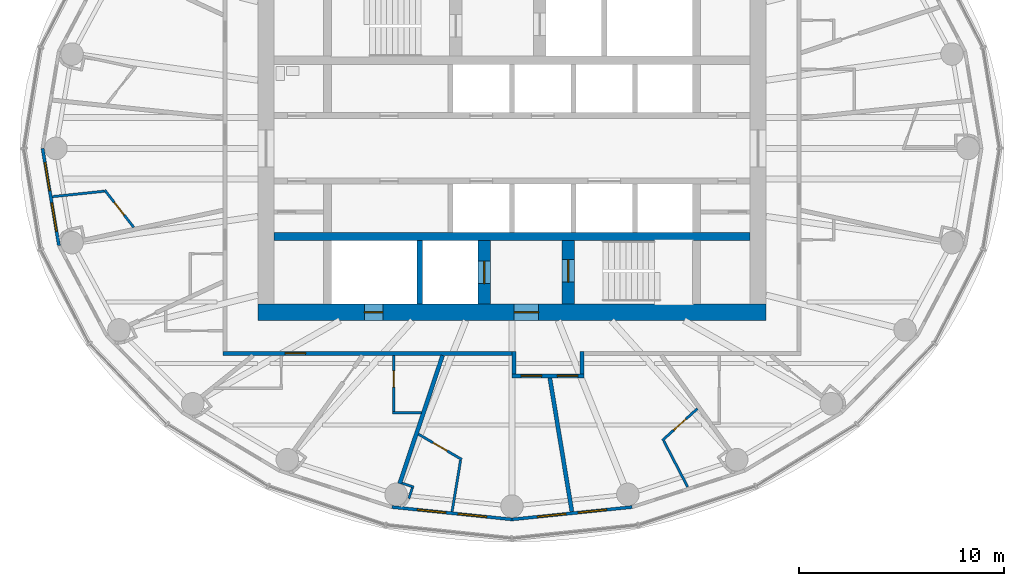
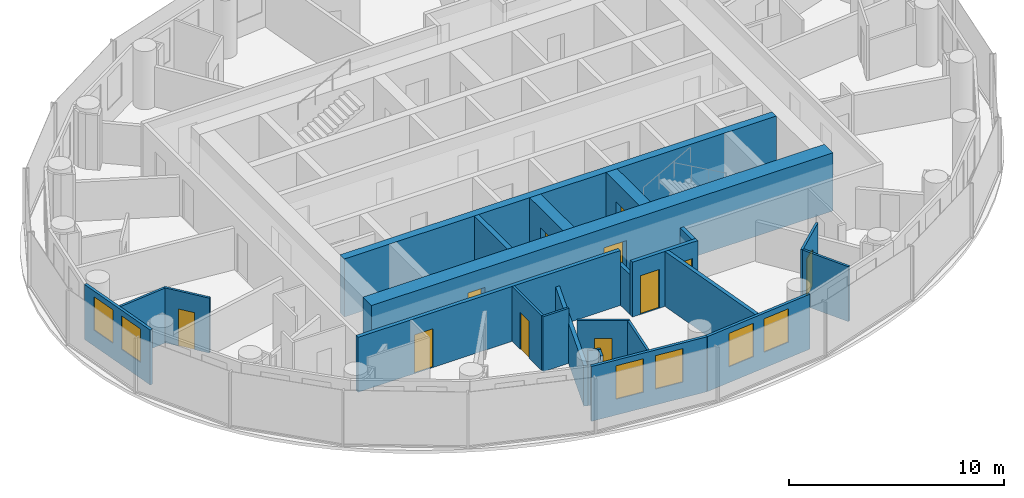
# One storey, part 7 of 14: 24 walls, 11 doors, 6 windows, 17 openings.
"""IFC4 building model written with IfcOpenShell, lengths in metres."""

from ifc_helpers import new_model, si_unit, direction, frame, frame_2d, origin, place, context, subcontext, project, spatial, rectangle, extrude, material, layer, layer_set, type_object, element, fill, save


model = new_model("IFC4")

# Units and contexts
model_context = context("Model", 3, precision=1e-05, world=origin(), true_north=direction((0.0, 1.0)))
body_context = subcontext(model_context, "Body", "Model", "MODEL_VIEW")
ifc_project = project(units=[si_unit("LENGTHUNIT", "METRE"), si_unit("AREAUNIT", "SQUARE_METRE"), si_unit("VOLUMEUNIT", "CUBIC_METRE"), si_unit("PLANEANGLEUNIT", "RADIAN"), si_unit("MASSUNIT", "GRAM", prefix="KILO")], contexts=[model_context])

# Site, building, storey
site_placement = place(None, origin())
site = spatial("IfcSite", under=ifc_project, at=site_placement, CompositionType="ELEMENT")
building_placement = place(site_placement, origin())
building = spatial("IfcBuilding", under=site, at=building_placement, Name="Hankou Lantern Tower", CompositionType="ELEMENT")
storey_placement = place(building_placement, frame((0.0, 0.0, 179.699951171875)))
storey = spatial("IfcBuildingStorey", under=building, at=storey_placement, Name="L48", CompositionType="ELEMENT", Elevation=179.699951171875)

# Wall, openings, doors
ifc_material_1 = material(Name="Concrete C60", Category="concrete")
ifc_layer_1 = layer(ifc_material_1, 0.800048828125)
ifc_layer_set_1 = layer_set([ifc_layer_1], Name="Concrete C60")
wall_type_1 = type_object("IfcWallType", Name="CW2 CORE WALL 800", PredefinedType="SHEAR", material=ifc_layer_set_1)
wall_1_placement = place(storey_placement, frame((12.39990234375, -8.0, 0.0), z_axis=(0.0, 0.0, 1.0), x_axis=(-1.0, 0.0, 0.0)))
wall_1 = element("IfcWall", 1, at=wall_1_placement, inside=storey, type_object=wall_type_1, Name="Core wall south L48", PredefinedType="SHEAR", context=body_context, shape_type="SweptSolid", body=[
    extrude(rectangle(XDim=24.7998046875, YDim=0.800048828125, at=frame_2d((12.39990234375, 0.0))), origin(), (0.0, 0.0, 1.0), 3.300048828125),
])
opening_1_placement = place(wall_1_placement, frame((11.10009765625, 0.0, 0.0)))
opening_1 = element("IfcOpeningElement", 2, at=opening_1_placement, cuts=wall_1, Name="Opening D5", PredefinedType="OPENING", context=body_context, shape_type="SweptSolid", body=[
    extrude(rectangle(XDim=1.199951171875, YDim=2.199951171875, at=frame_2d((0.60009765625, 1.10009765625))), frame((0.0, 0.409912109375, 0.0), z_axis=(0.0, -1.0, 0.0), x_axis=(1.0, 0.0, 0.0)), (0.0, 0.0, 1.0), 0.820068359375),
])
opening_2_placement = place(wall_1_placement, frame((18.699951171875, 0.0, 0.0)))
opening_2 = element("IfcOpeningElement", 3, at=opening_2_placement, cuts=wall_1, Name="Opening D7", PredefinedType="OPENING", context=body_context, shape_type="SweptSolid", body=[
    extrude(rectangle(XDim=0.89990234375, YDim=2.199951171875, at=frame_2d((0.449951171875, 1.10009765625))), frame((0.0, 0.409912109375, 0.0), z_axis=(0.0, -1.0, 0.0), x_axis=(1.0, 0.0, 0.0)), (0.0, 0.0, 1.0), 0.820068359375),
])
ifc_material_2 = material(Name="Steel door leaf", Category="steel")
door_type_1 = type_object("IfcDoorType", Name="D5 STAIR LOBBY DOOR 1200X2200", OperationType="SINGLE_SWING_LEFT", PredefinedType="DOOR", material=ifc_material_2)
door_1_placement = place(opening_1_placement, origin())
door_1 = element("IfcDoor", 4, at=door_1_placement, inside=storey, type_object=door_type_1, Name="Stair B lobby door", OperationType="SINGLE_SWING_LEFT", OverallHeight=2.199951171875, OverallWidth=1.199951171875, PredefinedType="DOOR", context=body_context, shape_type="SweptSolid", body=[
    extrude(rectangle(XDim=1.199951171875, YDim=2.199951171875, at=frame_2d((0.60009765625, 1.10009765625))), frame((0.0, 0.02490234375, 0.0), z_axis=(0.0, -1.0, 0.0), x_axis=(1.0, 0.0, 0.0)), (0.0, 0.0, 1.0), 0.050048828125),
])
fill(opening_1, door_1)
ifc_material_3 = material(Name="Steel door leaf", Category="steel")
door_type_2 = type_object("IfcDoorType", Name="D7 RISER DOOR 900X2200", OperationType="SINGLE_SWING_LEFT", PredefinedType="DOOR", material=ifc_material_3)
door_2_placement = place(opening_2_placement, origin())
door_2 = element("IfcDoor", 5, at=door_2_placement, inside=storey, type_object=door_type_2, Name="Riser S1 door", OperationType="SINGLE_SWING_RIGHT", OverallHeight=2.199951171875, OverallWidth=0.89990234375, PredefinedType="DOOR", context=body_context, shape_type="SweptSolid", body=[
    extrude(rectangle(XDim=0.89990234375, YDim=2.199951171875, at=frame_2d((0.449951171875, 1.10009765625))), frame((0.0, 0.02490234375, 0.0), z_axis=(0.0, -1.0, 0.0), x_axis=(1.0, 0.0, 0.0)), (0.0, 0.0, 1.0), 0.050048828125),
])
fill(opening_2, door_2)

# Wall
ifc_material_4 = material(Name="Concrete C60", Category="concrete")
ifc_layer_2 = layer(ifc_material_4, 0.39990234375)
ifc_layer_set_2 = layer_set([ifc_layer_2], Name="Concrete C60")
wall_type_2 = type_object("IfcWallType", Name="CW4 CORE CROSS WALL 400", PredefinedType="SHEAR", material=ifc_layer_set_2)
wall_2_placement = place(storey_placement, frame((-11.60009765625, -4.300048828125, 0.0), z_axis=(0.0, 0.0, 1.0), x_axis=(1.0, 0.0, 0.0)))
element("IfcWall", 6, at=wall_2_placement, inside=storey, type_object=wall_type_2, Name="Core band wall south L48", PredefinedType="SHEAR", context=body_context, shape_type="SweptSolid", body=[
    extrude(rectangle(XDim=23.2001953125, YDim=0.39990234375, at=frame_2d((11.60009765625, 0.0))), origin(), (0.0, 0.0, 1.0), 3.300048828125),
])

# Wall, opening, door
ifc_material_5 = material(Name="Concrete C60", Category="concrete")
ifc_layer_3 = layer(ifc_material_5, 0.60009765625)
ifc_layer_set_3 = layer_set([ifc_layer_3], Name="Concrete C60")
wall_type_3 = type_object("IfcWallType", Name="CW6 STAIR AND SHAFT WALL 600", PredefinedType="SHEAR", material=ifc_layer_set_3)
wall_3_placement = place(storey_placement, frame((2.75, -7.60009765625, 0.0), z_axis=(0.0, 0.0, 1.0), x_axis=(0.0, 1.0, 0.0)))
wall_3 = element("IfcWall", 7, at=wall_3_placement, inside=storey, type_object=wall_type_3, Name="Stair wall L48", PredefinedType="SHEAR", context=body_context, shape_type="SweptSolid", body=[
    extrude(rectangle(XDim=3.10009765625, YDim=0.60009765625, at=frame_2d((1.550048828125, 0.0))), origin(), (0.0, 0.0, 1.0), 3.300048828125),
])
opening_3_placement = place(wall_3_placement, frame((1.074951171875, 0.0, 0.0)))
opening_3 = element("IfcOpeningElement", 8, at=opening_3_placement, cuts=wall_3, Name="Opening D4", PredefinedType="OPENING", context=body_context, shape_type="SweptSolid", body=[
    extrude(rectangle(XDim=1.10009765625, YDim=2.199951171875, at=frame_2d((0.550048828125, 1.10009765625))), frame((0.0, 0.31005859375, 0.0), z_axis=(0.0, -1.0, 0.0), x_axis=(1.0, 0.0, 0.0)), (0.0, 0.0, 1.0), 0.6201171875),
])
ifc_material_6 = material(Name="Steel door leaf", Category="steel")
door_type_3 = type_object("IfcDoorType", Name="D4 STAIR DOOR 1100X2200", OperationType="SINGLE_SWING_LEFT", PredefinedType="DOOR", material=ifc_material_6)
door_3_placement = place(opening_3_placement, origin())
door_3 = element("IfcDoor", 9, at=door_3_placement, inside=storey, type_object=door_type_3, Name="Stair B door", OperationType="SINGLE_SWING_RIGHT", OverallHeight=2.199951171875, OverallWidth=1.10009765625, PredefinedType="DOOR", context=body_context, shape_type="SweptSolid", body=[
    extrude(rectangle(XDim=1.10009765625, YDim=2.199951171875, at=frame_2d((0.550048828125, 1.10009765625))), frame((0.0, 0.02490234375, 0.0), z_axis=(0.0, -1.0, 0.0), x_axis=(1.0, 0.0, 0.0)), (0.0, 0.0, 1.0), 0.050048828125),
])
fill(opening_3, door_3)

wall_4_placement = place(storey_placement, frame((-1.35009765625, -7.60009765625, 0.0), z_axis=(0.0, 0.0, 1.0), x_axis=(0.0, 1.0, 0.0)))
wall_4 = element("IfcWall", 10, at=wall_4_placement, inside=storey, type_object=wall_type_3, Name="Firefighting lift shaft wall L48", PredefinedType="SHEAR", context=body_context, shape_type="SweptSolid", body=[
    extrude(rectangle(XDim=3.10009765625, YDim=0.60009765625, at=frame_2d((1.550048828125, 0.0))), origin(), (0.0, 0.0, 1.0), 3.300048828125),
])
opening_4_placement = place(wall_4_placement, frame((1.0, 0.0, 0.0)))
opening_4 = element("IfcOpeningElement", 11, at=opening_4_placement, cuts=wall_4, Name="Opening LD2", PredefinedType="OPENING", context=body_context, shape_type="SweptSolid", body=[
    extrude(rectangle(XDim=1.10009765625, YDim=2.199951171875, at=frame_2d((0.550048828125, 1.10009765625))), frame((0.0, 0.31005859375, 0.0), z_axis=(0.0, -1.0, 0.0), x_axis=(1.0, 0.0, 0.0)), (0.0, 0.0, 1.0), 0.6201171875),
])
ifc_material_7 = material(Name="Steel door leaf", Category="steel")
door_type_4 = type_object("IfcDoorType", Name="LD2 FIREFIGHTING LIFT LANDING DOOR 1100X2200", OperationType="DOUBLE_DOOR_SLIDING", PredefinedType="DOOR", material=ifc_material_7)
door_4_placement = place(opening_4_placement, origin())
door_4 = element("IfcDoor", 12, at=door_4_placement, inside=storey, type_object=door_type_4, Name="Firefighting lift FL2 landing door", OperationType="DOUBLE_DOOR_SLIDING", OverallHeight=2.199951171875, OverallWidth=1.10009765625, PredefinedType="DOOR", context=body_context, shape_type="SweptSolid", body=[
    extrude(rectangle(XDim=1.10009765625, YDim=2.199951171875, at=frame_2d((0.550048828125, 1.10009765625))), frame((0.0, 0.02490234375, 0.0), z_axis=(0.0, -1.0, 0.0), x_axis=(1.0, 0.0, 0.0)), (0.0, 0.0, 1.0), 0.050048828125),
])
fill(opening_4, door_4)

# Wall, openings, windows
ifc_material_8 = material(Name="Aluminium spandrel panel on steel studs", Category="steel")
ifc_layer_4 = layer(ifc_material_8, 0.14990234375)
ifc_layer_set_4 = layer_set([ifc_layer_4], Name="Aluminium spandrel panel on steel studs")
wall_type_4 = type_object("IfcWallType", Name="EW1 INNER SKIN WALL 150", PredefinedType="ELEMENTEDWALL", material=ifc_layer_set_4)
wall_5_placement = place(storey_placement, frame((-22.89990234375, 0.0, 0.0), z_axis=(0.0, 0.0, 1.0), x_axis=(0.166162111254, -0.986098449843, 0.0)))
wall_5 = element("IfcWall", 13, at=wall_5_placement, inside=storey, type_object=wall_type_4, Name="Inner skin R13-R14 L48", PredefinedType="ELEMENTEDWALL", context=body_context, shape_type="SweptSolid", body=[
    extrude(rectangle(XDim=4.8046875, YDim=0.14990234375, at=frame_2d((2.40234375, 0.0))), origin(), (0.0, 0.0, 1.0), 3.1201171875),
])
opening_5_placement = place(wall_5_placement, frame((0.7021484375, 0.0, 0.89990234375)))
opening_5 = element("IfcOpeningElement", 14, at=opening_5_placement, cuts=wall_5, Name="Opening W3", PredefinedType="OPENING", context=body_context, shape_type="SweptSolid", body=[
    extrude(rectangle(XDim=1.39990234375, YDim=1.89990234375, at=frame_2d((0.699951171875, 0.949951171875))), frame((0.0, 0.0849609375, 0.0), z_axis=(0.0, -1.0, 0.0), x_axis=(1.0, 0.0, 0.0)), (0.0, 0.0, 1.0), 0.169921875),
])
opening_6_placement = place(wall_5_placement, frame((2.7021484375, 0.0, 0.89990234375)))
opening_6 = element("IfcOpeningElement", 15, at=opening_6_placement, cuts=wall_5, Name="Opening W3", PredefinedType="OPENING", context=body_context, shape_type="SweptSolid", body=[
    extrude(rectangle(XDim=1.39990234375, YDim=1.89990234375, at=frame_2d((0.699951171875, 0.949951171875))), frame((0.0, 0.0849609375, 0.0), z_axis=(0.0, -1.0, 0.0), x_axis=(1.0, 0.0, 0.0)), (0.0, 0.0, 1.0), 0.169921875),
])
ifc_material_9 = material(Name="Aluminium framed double glazed window", Category="aluminium")
window_type = type_object("IfcWindowType", Name="W3 GUEST ROOM WINDOW 1400X1900", PartitioningType="DOUBLE_PANEL_VERTICAL", PredefinedType="WINDOW", material=ifc_material_9)
window_1_placement = place(opening_5_placement, origin())
window_1 = element("IfcWindow", 16, at=window_1_placement, inside=storey, type_object=window_type, Name="Window R13.1 L48", OverallHeight=1.89990234375, OverallWidth=1.39990234375, PartitioningType="SINGLE_PANEL", PredefinedType="WINDOW", context=body_context, shape_type="SweptSolid", body=[
    extrude(rectangle(XDim=1.39990234375, YDim=1.89990234375, at=frame_2d((0.699951171875, 0.949951171875))), frame((0.0, 0.030029296875, 0.0), z_axis=(0.0, -1.0, 0.0), x_axis=(1.0, 0.0, 0.0)), (0.0, 0.0, 1.0), 0.06005859375),
])
fill(opening_5, window_1)
window_2_placement = place(opening_6_placement, origin())
window_2 = element("IfcWindow", 17, at=window_2_placement, inside=storey, type_object=window_type, Name="Window R13.2 L48", OverallHeight=1.89990234375, OverallWidth=1.39990234375, PartitioningType="SINGLE_PANEL", PredefinedType="WINDOW", context=body_context, shape_type="SweptSolid", body=[
    extrude(rectangle(XDim=1.39990234375, YDim=1.89990234375, at=frame_2d((0.699951171875, 0.949951171875))), frame((0.0, 0.030029296875, 0.0), z_axis=(0.0, -1.0, 0.0), x_axis=(1.0, 0.0, 0.0)), (0.0, 0.0, 1.0), 0.06005859375),
])
fill(opening_6, window_2)

wall_6_placement = place(storey_placement, frame((-5.8603515625, -17.497314453125, 0.0), z_axis=(0.0, 0.0, 1.0), x_axis=(0.994751738032, -0.102318032045, 0.0)))
wall_6 = element("IfcWall", 18, at=wall_6_placement, inside=storey, type_object=wall_type_4, Name="Inner skin R18-R19 L48", PredefinedType="ELEMENTEDWALL", context=body_context, shape_type="SweptSolid", body=[
    extrude(rectangle(XDim=5.891357421875, YDim=0.14990234375, at=frame_2d((2.94580078125, 0.0))), origin(), (0.0, 0.0, 1.0), 3.1201171875),
])
opening_7_placement = place(wall_6_placement, frame((1.24560546875, 0.0, 0.89990234375)))
opening_7 = element("IfcOpeningElement", 19, at=opening_7_placement, cuts=wall_6, Name="Opening W3", PredefinedType="OPENING", context=body_context, shape_type="SweptSolid", body=[
    extrude(rectangle(XDim=1.39990234375, YDim=1.89990234375, at=frame_2d((0.699951171875, 0.949951171875))), frame((0.0, 0.0849609375, 0.0), z_axis=(0.0, -1.0, 0.0), x_axis=(1.0, 0.0, 0.0)), (0.0, 0.0, 1.0), 0.169921875),
])
opening_8_placement = place(wall_6_placement, frame((3.24560546875, 0.0, 0.89990234375)))
opening_8 = element("IfcOpeningElement", 20, at=opening_8_placement, cuts=wall_6, Name="Opening W3", PredefinedType="OPENING", context=body_context, shape_type="SweptSolid", body=[
    extrude(rectangle(XDim=1.39990234375, YDim=1.89990234375, at=frame_2d((0.699951171875, 0.949951171875))), frame((0.0, 0.0849609375, 0.0), z_axis=(0.0, -1.0, 0.0), x_axis=(1.0, 0.0, 0.0)), (0.0, 0.0, 1.0), 0.169921875),
])
window_3_placement = place(opening_7_placement, origin())
window_3 = element("IfcWindow", 21, at=window_3_placement, inside=storey, type_object=window_type, Name="Window R18.1 L48", OverallHeight=1.89990234375, OverallWidth=1.39990234375, PartitioningType="SINGLE_PANEL", PredefinedType="WINDOW", context=body_context, shape_type="SweptSolid", body=[
    extrude(rectangle(XDim=1.39990234375, YDim=1.89990234375, at=frame_2d((0.699951171875, 0.949951171875))), frame((0.0, 0.030029296875, 0.0), z_axis=(0.0, -1.0, 0.0), x_axis=(1.0, 0.0, 0.0)), (0.0, 0.0, 1.0), 0.06005859375),
])
fill(opening_7, window_3)
window_4_placement = place(opening_8_placement, origin())
window_4 = element("IfcWindow", 22, at=window_4_placement, inside=storey, type_object=window_type, Name="Window R18.2 L48", OverallHeight=1.89990234375, OverallWidth=1.39990234375, PartitioningType="SINGLE_PANEL", PredefinedType="WINDOW", context=body_context, shape_type="SweptSolid", body=[
    extrude(rectangle(XDim=1.39990234375, YDim=1.89990234375, at=frame_2d((0.699951171875, 0.949951171875))), frame((0.0, 0.030029296875, 0.0), z_axis=(0.0, -1.0, 0.0), x_axis=(1.0, 0.0, 0.0)), (0.0, 0.0, 1.0), 0.06005859375),
])
fill(opening_8, window_4)

wall_7_placement = place(storey_placement, frame((0.0, -18.10009765625, 0.0), z_axis=(0.0, 0.0, 1.0), x_axis=(0.994751738032, 0.102318032045, 0.0)))
wall_7 = element("IfcWall", 23, at=wall_7_placement, inside=storey, type_object=wall_type_4, Name="Inner skin R19-R20 L48", PredefinedType="ELEMENTEDWALL", context=body_context, shape_type="SweptSolid", body=[
    extrude(rectangle(XDim=5.891357421875, YDim=0.14990234375, at=frame_2d((2.94580078125, 0.0))), origin(), (0.0, 0.0, 1.0), 3.1201171875),
])
opening_9_placement = place(wall_7_placement, frame((1.24560546875, 0.0, 0.89990234375)))
opening_9 = element("IfcOpeningElement", 24, at=opening_9_placement, cuts=wall_7, Name="Opening W3", PredefinedType="OPENING", context=body_context, shape_type="SweptSolid", body=[
    extrude(rectangle(XDim=1.39990234375, YDim=1.89990234375, at=frame_2d((0.699951171875, 0.949951171875))), frame((0.0, 0.0849609375, 0.0), z_axis=(0.0, -1.0, 0.0), x_axis=(1.0, 0.0, 0.0)), (0.0, 0.0, 1.0), 0.169921875),
])
opening_10_placement = place(wall_7_placement, frame((3.24560546875, 0.0, 0.89990234375)))
opening_10 = element("IfcOpeningElement", 25, at=opening_10_placement, cuts=wall_7, Name="Opening W3", PredefinedType="OPENING", context=body_context, shape_type="SweptSolid", body=[
    extrude(rectangle(XDim=1.39990234375, YDim=1.89990234375, at=frame_2d((0.699951171875, 0.949951171875))), frame((0.0, 0.0849609375, 0.0), z_axis=(0.0, -1.0, 0.0), x_axis=(1.0, 0.0, 0.0)), (0.0, 0.0, 1.0), 0.169921875),
])
window_5_placement = place(opening_9_placement, origin())
window_5 = element("IfcWindow", 26, at=window_5_placement, inside=storey, type_object=window_type, Name="Window R19.1 L48", OverallHeight=1.89990234375, OverallWidth=1.39990234375, PartitioningType="SINGLE_PANEL", PredefinedType="WINDOW", context=body_context, shape_type="SweptSolid", body=[
    extrude(rectangle(XDim=1.39990234375, YDim=1.89990234375, at=frame_2d((0.699951171875, 0.949951171875))), frame((0.0, 0.030029296875, 0.0), z_axis=(0.0, -1.0, 0.0), x_axis=(1.0, 0.0, 0.0)), (0.0, 0.0, 1.0), 0.06005859375),
])
fill(opening_9, window_5)
window_6_placement = place(opening_10_placement, origin())
window_6 = element("IfcWindow", 27, at=window_6_placement, inside=storey, type_object=window_type, Name="Window R19.2 L48", OverallHeight=1.89990234375, OverallWidth=1.39990234375, PartitioningType="SINGLE_PANEL", PredefinedType="WINDOW", context=body_context, shape_type="SweptSolid", body=[
    extrude(rectangle(XDim=1.39990234375, YDim=1.89990234375, at=frame_2d((0.699951171875, 0.949951171875))), frame((0.0, 0.030029296875, 0.0), z_axis=(0.0, -1.0, 0.0), x_axis=(1.0, 0.0, 0.0)), (0.0, 0.0, 1.0), 0.06005859375),
])
fill(opening_10, window_6)

# Walls
ifc_material_10 = material(Name="Masonry lightweight concrete block", Category="masonry")
ifc_layer_5 = layer(ifc_material_10, 0.199951171875)
ifc_layer_set_5 = layer_set([ifc_layer_5], Name="Masonry lightweight concrete block")
wall_type_5 = type_object("IfcWallType", Name="IW1 GUEST ROOM PARTY WALL 200", PredefinedType="PARTITIONING", material=ifc_layer_set_5)
wall_8_placement = place(storey_placement, frame((-3.3828125, -10.10009765625, 0.0), z_axis=(0.0, 0.0, 1.0), x_axis=(-0.317615120474, -0.948219718866, 0.0)))
element("IfcWall", 28, at=wall_8_placement, inside=storey, type_object=wall_type_5, Name="Party wall R18", PredefinedType="PARTITIONING", context=body_context, shape_type="SweptSolid", body=[
    extrude(rectangle(XDim=6.597412109375, YDim=0.199951171875, at=frame_2d((3.298828125, 0.0))), origin(), (0.0, 0.0, 1.0), 2.27001953125),
])
wall_9_placement = place(storey_placement, frame((1.8466796875, -11.199951171875, 0.0), z_axis=(0.0, 0.0, 1.0), x_axis=(0.162695449404, -0.986676335352, 0.0)))
element("IfcWall", 29, at=wall_9_placement, inside=storey, type_object=wall_type_5, Name="Party wall R19-R20", PredefinedType="PARTITIONING", context=body_context, shape_type="SweptSolid", body=[
    extrude(rectangle(XDim=6.60107421875, YDim=0.199951171875, at=frame_2d((3.300537109375, 0.0))), origin(), (0.0, 0.0, 1.0), 3.1201171875),
])

# Wall, openings, doors
ifc_material_11 = material(Name="Masonry lightweight concrete block", Category="masonry")
ifc_layer_6 = layer(ifc_material_11, 0.199951171875)
ifc_layer_set_6 = layer_set([ifc_layer_6], Name="Masonry lightweight concrete block")
wall_type_6 = type_object("IfcWallType", Name="IW2 CORRIDOR WALL 200", PredefinedType="PARTITIONING", material=ifc_layer_set_6)
wall_10_placement = place(storey_placement, frame((3.51806640625, -11.10009765625, 0.0), z_axis=(0.0, 0.0, 1.0), x_axis=(-1.0, 0.0, 0.0)))
wall_10 = element("IfcWall", 30, at=wall_10_placement, inside=storey, type_object=wall_type_6, Name="Corridor alcove wall 4803-4804 back", PredefinedType="PARTITIONING", context=body_context, shape_type="SweptSolid", body=[
    extrude(rectangle(XDim=3.52392578125, YDim=0.199951171875, at=frame_2d((1.761962890625, 0.0))), origin(), (0.0, 0.0, 1.0), 3.1201171875),
])
opening_11_placement = place(wall_10_placement, frame((2.070068359375, 0.0, 0.0)))
opening_11 = element("IfcOpeningElement", 31, at=opening_11_placement, cuts=wall_10, Name="Opening D1", PredefinedType="OPENING", context=body_context, shape_type="SweptSolid", body=[
    extrude(rectangle(XDim=1.0, YDim=2.199951171875, at=frame_2d((0.5, 1.10009765625))), frame((0.0, 0.10986328125, 0.0), z_axis=(0.0, -1.0, 0.0), x_axis=(1.0, 0.0, 0.0)), (0.0, 0.0, 1.0), 0.219970703125),
])
opening_12_placement = place(wall_10_placement, frame((0.300048828125, 0.0, 0.0)))
opening_12 = element("IfcOpeningElement", 32, at=opening_12_placement, cuts=wall_10, Name="Opening D1", PredefinedType="OPENING", context=body_context, shape_type="SweptSolid", body=[
    extrude(rectangle(XDim=1.0, YDim=2.199951171875, at=frame_2d((0.5, 1.10009765625))), frame((0.0, 0.10986328125, 0.0), z_axis=(0.0, -1.0, 0.0), x_axis=(1.0, 0.0, 0.0)), (0.0, 0.0, 1.0), 0.219970703125),
])
ifc_material_12 = material(Name="Steel door leaf", Category="steel")
door_type_5 = type_object("IfcDoorType", Name="D1 GUEST ROOM DOOR 1000X2200", OperationType="SINGLE_SWING_LEFT", PredefinedType="DOOR", material=ifc_material_12)
door_5_placement = place(opening_11_placement, origin())
door_5 = element("IfcDoor", 33, at=door_5_placement, inside=storey, type_object=door_type_5, Name="Guest room door 4803", OperationType="SINGLE_SWING_LEFT", OverallHeight=2.199951171875, OverallWidth=1.0, PredefinedType="DOOR", context=body_context, shape_type="SweptSolid", body=[
    extrude(rectangle(XDim=1.0, YDim=2.199951171875, at=frame_2d((0.5, 1.10009765625))), frame((0.0, 0.02490234375, 0.0), z_axis=(0.0, -1.0, 0.0), x_axis=(1.0, 0.0, 0.0)), (0.0, 0.0, 1.0), 0.050048828125),
])
fill(opening_11, door_5)
door_6_placement = place(opening_12_placement, origin())
door_6 = element("IfcDoor", 34, at=door_6_placement, inside=storey, type_object=door_type_5, Name="Guest room door 4804", OperationType="SINGLE_SWING_RIGHT", OverallHeight=2.199951171875, OverallWidth=1.0, PredefinedType="DOOR", context=body_context, shape_type="SweptSolid", body=[
    extrude(rectangle(XDim=1.0, YDim=2.199951171875, at=frame_2d((0.5, 1.10009765625))), frame((0.0, 0.02490234375, 0.0), z_axis=(0.0, -1.0, 0.0), x_axis=(1.0, 0.0, 0.0)), (0.0, 0.0, 1.0), 0.050048828125),
])
fill(opening_12, door_6)

# Walls
wall_11_placement = place(storey_placement, frame((3.418212890625, -9.89990234375, 0.0), z_axis=(0.0, 0.0, 1.0), x_axis=(0.0, -1.0, 0.0)))
element("IfcWall", 35, at=wall_11_placement, inside=storey, type_object=wall_type_6, Name="Corridor alcove wall 4803-4804 left", PredefinedType="PARTITIONING", context=body_context, shape_type="SweptSolid", body=[
    extrude(rectangle(XDim=1.10009765625, YDim=0.199951171875, at=frame_2d((0.550048828125, 0.0))), origin(), (0.0, 0.0, 1.0), 3.1201171875),
])
wall_12_placement = place(storey_placement, frame((0.093994140625, -9.89990234375, 0.0), z_axis=(0.0, 0.0, 1.0), x_axis=(0.0, -1.0, 0.0)))
element("IfcWall", 36, at=wall_12_placement, inside=storey, type_object=wall_type_6, Name="Corridor alcove wall 4803-4804 right", PredefinedType="PARTITIONING", context=body_context, shape_type="SweptSolid", body=[
    extrude(rectangle(XDim=1.10009765625, YDim=0.199951171875, at=frame_2d((0.550048828125, 0.0))), origin(), (0.0, 0.0, 1.0), 2.27001953125),
])

# Wall, opening, door
wall_13_placement = place(storey_placement, frame((-0.005859375, -10.0, 0.0), z_axis=(0.0, 0.0, 1.0), x_axis=(-1.0, 0.0, 0.0)))
wall_13 = element("IfcWall", 37, at=wall_13_placement, inside=storey, type_object=wall_type_6, Name="Corridor wall south", PredefinedType="PARTITIONING", context=body_context, shape_type="SweptSolid", body=[
    extrude(rectangle(XDim=14.09423828125, YDim=0.199951171875, at=frame_2d((7.047119140625, 0.0))), origin(), (0.0, 0.0, 1.0), 3.1201171875),
])
opening_13_placement = place(wall_13_placement, frame((10.05908203125, 0.0, 0.0)))
opening_13 = element("IfcOpeningElement", 38, at=opening_13_placement, cuts=wall_13, Name="Opening D2", PredefinedType="OPENING", context=body_context, shape_type="SweptSolid", body=[
    extrude(rectangle(XDim=1.0, YDim=2.199951171875, at=frame_2d((0.5, 1.10009765625))), frame((0.0, 0.10986328125, 0.0), z_axis=(0.0, -1.0, 0.0), x_axis=(1.0, 0.0, 0.0)), (0.0, 0.0, 1.0), 0.219970703125),
])
ifc_material_13 = material(Name="Steel door leaf", Category="steel")
door_type_6 = type_object("IfcDoorType", Name="D2 SUITE DOOR 1000X2200", OperationType="SINGLE_SWING_LEFT", PredefinedType="DOOR", material=ifc_material_13)
door_7_placement = place(opening_13_placement, origin())
door_7 = element("IfcDoor", 39, at=door_7_placement, inside=storey, type_object=door_type_6, Name="Suite door 4802C", OperationType="SINGLE_SWING_RIGHT", OverallHeight=2.199951171875, OverallWidth=1.0, PredefinedType="DOOR", context=body_context, shape_type="SweptSolid", body=[
    extrude(rectangle(XDim=1.0, YDim=2.199951171875, at=frame_2d((0.5, 1.10009765625))), frame((0.0, 0.02490234375, 0.0), z_axis=(0.0, -1.0, 0.0), x_axis=(1.0, 0.0, 0.0)), (0.0, 0.0, 1.0), 0.050048828125),
])
fill(opening_13, door_7)

# Wall
ifc_material_14 = material(Name="Masonry lightweight concrete block", Category="masonry")
ifc_layer_7 = layer(ifc_material_14, 0.1201171875)
ifc_layer_set_7 = layer_set([ifc_layer_7], Name="Masonry lightweight concrete block")
wall_type_7 = type_object("IfcWallType", Name="IW3 BATHROOM WALL 120", PredefinedType="PARTITIONING", material=ifc_layer_set_7)
wall_14_placement = place(storey_placement, frame((-4.420654296875, -12.89990234375, 0.0), z_axis=(0.0, 0.0, 1.0), x_axis=(-1.0, 0.0, 0.0)))
element("IfcWall", 40, at=wall_14_placement, inside=storey, type_object=wall_type_7, Name="Box wall 4802A 1", PredefinedType="PARTITIONING", context=body_context, shape_type="SweptSolid", body=[
    extrude(rectangle(XDim=1.402099609375, YDim=0.1201171875, at=frame_2d((0.701171875, 0.0))), origin(), (0.0, 0.0, 1.0), 3.1201171875),
])

# Wall, opening, door
wall_15_placement = place(storey_placement, frame((-5.762939453125, -10.10009765625, 0.0), z_axis=(0.0, 0.0, 1.0), x_axis=(0.0, -1.0, 0.0)))
wall_15 = element("IfcWall", 41, at=wall_15_placement, inside=storey, type_object=wall_type_7, Name="Box wall 4802A 1", PredefinedType="PARTITIONING", context=body_context, shape_type="SweptSolid", body=[
    extrude(rectangle(XDim=2.739990234375, YDim=0.1201171875, at=frame_2d((1.3701171875, 0.0))), origin(), (0.0, 0.0, 1.0), 3.1201171875),
])
opening_14_placement = place(wall_15_placement, frame((0.75, 0.0, 0.0)))
opening_14 = element("IfcOpeningElement", 42, at=opening_14_placement, cuts=wall_15, Name="Opening D3", PredefinedType="OPENING", context=body_context, shape_type="SweptSolid", body=[
    extrude(rectangle(XDim=0.800048828125, YDim=2.10009765625, at=frame_2d((0.39990234375, 1.050048828125))), frame((0.0, 0.070068359375, 0.0), z_axis=(0.0, -1.0, 0.0), x_axis=(1.0, 0.0, 0.0)), (0.0, 0.0, 1.0), 0.14013671875),
])
ifc_material_15 = material(Name="Timber door leaf", Category="wood")
door_type_7 = type_object("IfcDoorType", Name="D3 BATHROOM DOOR 800X2100", OperationType="SINGLE_SWING_LEFT", PredefinedType="DOOR", material=ifc_material_15)
door_8_placement = place(opening_14_placement, origin())
door_8 = element("IfcDoor", 43, at=door_8_placement, inside=storey, type_object=door_type_7, Name="Suite 4802 bathroom door", OperationType="SINGLE_SWING_LEFT", OverallHeight=2.10009765625, OverallWidth=0.800048828125, PredefinedType="DOOR", context=body_context, shape_type="SweptSolid", body=[
    extrude(rectangle(XDim=0.800048828125, YDim=2.10009765625, at=frame_2d((0.39990234375, 1.050048828125))), frame((0.0, 0.02490234375, 0.0), z_axis=(0.0, -1.0, 0.0), x_axis=(1.0, 0.0, 0.0)), (0.0, 0.0, 1.0), 0.050048828125),
])
fill(opening_14, door_8)

wall_16_placement = place(storey_placement, frame((-4.564208984375, -13.94189453125, 0.0), z_axis=(0.0, 0.0, 1.0), x_axis=(0.863717519451, -0.503976236139, 0.0)))
wall_16 = element("IfcWall", 44, at=wall_16_placement, inside=storey, type_object=wall_type_7, Name="Box wall 4803 1", PredefinedType="PARTITIONING", context=body_context, shape_type="SweptSolid", body=[
    extrude(rectangle(XDim=2.45263671875, YDim=0.1201171875, at=frame_2d((1.226318359375, 0.0))), origin(), (0.0, 0.0, 1.0), 3.1201171875),
])
opening_15_placement = place(wall_16_placement, frame((0.826171875, 0.0, 0.0)))
opening_15 = element("IfcOpeningElement", 45, at=opening_15_placement, cuts=wall_16, Name="Opening D3", PredefinedType="OPENING", context=body_context, shape_type="SweptSolid", body=[
    extrude(rectangle(XDim=0.800048828125, YDim=2.10009765625, at=frame_2d((0.39990234375, 1.050048828125))), frame((0.0, 0.070068359375, 0.0), z_axis=(0.0, -1.0, 0.0), x_axis=(1.0, 0.0, 0.0)), (0.0, 0.0, 1.0), 0.14013671875),
])
door_9_placement = place(opening_15_placement, origin())
door_9 = element("IfcDoor", 46, at=door_9_placement, inside=storey, type_object=door_type_7, Name="En-suite bathroom 4803 door", OperationType="SINGLE_SWING_LEFT", OverallHeight=2.10009765625, OverallWidth=0.800048828125, PredefinedType="DOOR", context=body_context, shape_type="SweptSolid", body=[
    extrude(rectangle(XDim=0.800048828125, YDim=2.10009765625, at=frame_2d((0.39990234375, 1.050048828125))), frame((0.0, 0.02490234375, 0.0), z_axis=(0.0, -1.0, 0.0), x_axis=(1.0, 0.0, 0.0)), (0.0, 0.0, 1.0), 0.050048828125),
])
fill(opening_15, door_9)

# Walls
wall_17_placement = place(storey_placement, frame((-2.507568359375, -15.20703125, 0.0), z_axis=(0.0, 0.0, 1.0), x_axis=(-0.162637365963, -0.986685911115, 0.0)))
element("IfcWall", 47, at=wall_17_placement, inside=storey, type_object=wall_type_7, Name="Box wall 4803 2", PredefinedType="PARTITIONING", context=body_context, shape_type="SweptSolid", body=[
    extrude(rectangle(XDim=2.5400390625, YDim=0.1201171875, at=frame_2d((1.27001953125, 0.0))), origin(), (0.0, 0.0, 1.0), 3.1201171875),
])
wall_18_placement = place(storey_placement, frame((-5.3642578125, -16.330810546875, 0.0), z_axis=(0.0, 0.0, 1.0), x_axis=(0.948283770087, -0.317423835572, 0.0)))
element("IfcWall", 48, at=wall_18_placement, inside=storey, type_object=wall_type_7, Name="Column casing 4803 return", PredefinedType="PARTITIONING", context=body_context, shape_type="SweptSolid", body=[
    extrude(rectangle(XDim=0.6123046875, YDim=0.1201171875, at=frame_2d((0.30615234375, 0.0))), origin(), (0.0, 0.0, 1.0), 3.1201171875),
])
wall_19_placement = place(storey_placement, frame((-4.859619140625, -16.56298828125, 0.0), z_axis=(0.0, 0.0, 1.0), x_axis=(-0.317825321803, -0.948149284038, 0.0)))
element("IfcWall", 49, at=wall_19_placement, inside=storey, type_object=wall_type_7, Name="Column casing 4803", PredefinedType="PARTITIONING", context=body_context, shape_type="SweptSolid", body=[
    extrude(rectangle(XDim=0.550048828125, YDim=0.1201171875, at=frame_2d((0.27490234375, 0.0))), origin(), (0.0, 0.0, 1.0), 3.1201171875),
])

# Wall, opening, door
wall_20_placement = place(storey_placement, frame((9.041748046875, -12.699462890625, 0.0), z_axis=(0.0, 0.0, 1.0), x_axis=(-0.741100257539, -0.671394376112, 0.0)))
wall_20 = element("IfcWall", 50, at=wall_20_placement, inside=storey, type_object=wall_type_7, Name="Box wall 4804 1", PredefinedType="PARTITIONING", context=body_context, shape_type="SweptSolid", body=[
    extrude(rectangle(XDim=2.3115234375, YDim=0.1201171875, at=frame_2d((1.15576171875, 0.0))), origin(), (0.0, 0.0, 1.0), 3.1201171875),
])
opening_16_placement = place(wall_20_placement, frame((0.755859375, 0.0, 0.0)))
opening_16 = element("IfcOpeningElement", 51, at=opening_16_placement, cuts=wall_20, Name="Opening D3", PredefinedType="OPENING", context=body_context, shape_type="SweptSolid", body=[
    extrude(rectangle(XDim=0.800048828125, YDim=2.10009765625, at=frame_2d((0.39990234375, 1.050048828125))), frame((0.0, 0.070068359375, 0.0), z_axis=(0.0, -1.0, 0.0), x_axis=(1.0, 0.0, 0.0)), (0.0, 0.0, 1.0), 0.14013671875),
])
door_10_placement = place(opening_16_placement, origin())
door_10 = element("IfcDoor", 52, at=door_10_placement, inside=storey, type_object=door_type_7, Name="En-suite bathroom 4804 door", OperationType="SINGLE_SWING_RIGHT", OverallHeight=2.10009765625, OverallWidth=0.800048828125, PredefinedType="DOOR", context=body_context, shape_type="SweptSolid", body=[
    extrude(rectangle(XDim=0.800048828125, YDim=2.10009765625, at=frame_2d((0.39990234375, 1.050048828125))), frame((0.0, 0.02490234375, 0.0), z_axis=(0.0, -1.0, 0.0), x_axis=(1.0, 0.0, 0.0)), (0.0, 0.0, 1.0), 0.050048828125),
])
fill(opening_16, door_10)

# Wall
wall_21_placement = place(storey_placement, frame((7.400634765625, -14.264404296875, 0.0), z_axis=(0.0, 0.0, 1.0), x_axis=(0.460505131319, -0.887657041897, 0.0)))
element("IfcWall", 53, at=wall_21_placement, inside=storey, type_object=wall_type_7, Name="Box wall 4804 2", PredefinedType="PARTITIONING", context=body_context, shape_type="SweptSolid", body=[
    extrude(rectangle(XDim=2.5400390625, YDim=0.1201171875, at=frame_2d((1.27001953125, 0.0))), origin(), (0.0, 0.0, 1.0), 3.1201171875),
])

# Wall, opening, door
wall_22_placement = place(storey_placement, frame((-18.450927734375, -3.852783203125, 0.0), z_axis=(0.0, 0.0, 1.0), x_axis=(-0.614703538382, 0.788758239197, 0.0)))
wall_22 = element("IfcWall", 54, at=wall_22_placement, inside=storey, type_object=wall_type_7, Name="Box wall 4814 1", PredefinedType="PARTITIONING", context=body_context, shape_type="SweptSolid", body=[
    extrude(rectangle(XDim=2.30322265625, YDim=0.1201171875, at=frame_2d((1.151611328125, 0.0))), origin(), (0.0, 0.0, 1.0), 3.1201171875),
])
opening_17_placement = place(wall_22_placement, frame((0.751708984375, 0.0, 0.0)))
opening_17 = element("IfcOpeningElement", 55, at=opening_17_placement, cuts=wall_22, Name="Opening D3", PredefinedType="OPENING", context=body_context, shape_type="SweptSolid", body=[
    extrude(rectangle(XDim=0.800048828125, YDim=2.10009765625, at=frame_2d((0.39990234375, 1.050048828125))), frame((0.0, 0.070068359375, 0.0), z_axis=(0.0, -1.0, 0.0), x_axis=(1.0, 0.0, 0.0)), (0.0, 0.0, 1.0), 0.14013671875),
])
door_11_placement = place(opening_17_placement, origin())
door_11 = element("IfcDoor", 56, at=door_11_placement, inside=storey, type_object=door_type_7, Name="En-suite bathroom 4814 door", OperationType="SINGLE_SWING_LEFT", OverallHeight=2.10009765625, OverallWidth=0.800048828125, PredefinedType="DOOR", context=body_context, shape_type="SweptSolid", body=[
    extrude(rectangle(XDim=0.800048828125, YDim=2.10009765625, at=frame_2d((0.39990234375, 1.050048828125))), frame((0.0, 0.02490234375, 0.0), z_axis=(0.0, -1.0, 0.0), x_axis=(1.0, 0.0, 0.0)), (0.0, 0.0, 1.0), 0.050048828125),
])
fill(opening_17, door_11)

# Walls
wall_23_placement = place(storey_placement, frame((-19.8896484375, -2.08984375, 0.0), z_axis=(0.0, 0.0, 1.0), x_axis=(-0.994527025269, -0.104479644, 0.0)))
element("IfcWall", 57, at=wall_23_placement, inside=storey, type_object=wall_type_7, Name="Box wall 4814 2", PredefinedType="PARTITIONING", context=body_context, shape_type="SweptSolid", body=[
    extrude(rectangle(XDim=2.5400390625, YDim=0.1201171875, at=frame_2d((1.27001953125, 0.0))), origin(), (0.0, 0.0, 1.0), 3.1201171875),
])
ifc_material_16 = material(Name="Masonry autoclaved aerated concrete block", Category="masonry")
ifc_layer_8 = layer(ifc_material_16, 0.25)
ifc_layer_set_8 = layer_set([ifc_layer_8], Name="Masonry autoclaved aerated concrete block")
wall_type_8 = type_object("IfcWallType", Name="SW1 SHAFT BLOCK WALL 250", PredefinedType="PARTITIONING", material=ifc_layer_set_8)
wall_24_placement = place(storey_placement, frame((-4.5, -7.60009765625, 0.0), z_axis=(0.0, 0.0, 1.0), x_axis=(0.0, 1.0, 0.0)))
element("IfcWall", 58, at=wall_24_placement, inside=storey, type_object=wall_type_8, Name="Riser wall L48", PredefinedType="PARTITIONING", context=body_context, shape_type="SweptSolid", body=[
    extrude(rectangle(XDim=3.10009765625, YDim=0.25, at=frame_2d((1.550048828125, 0.0))), origin(), (0.0, 0.0, 1.0), 3.300048828125),
])

save(model, "model.ifc")
